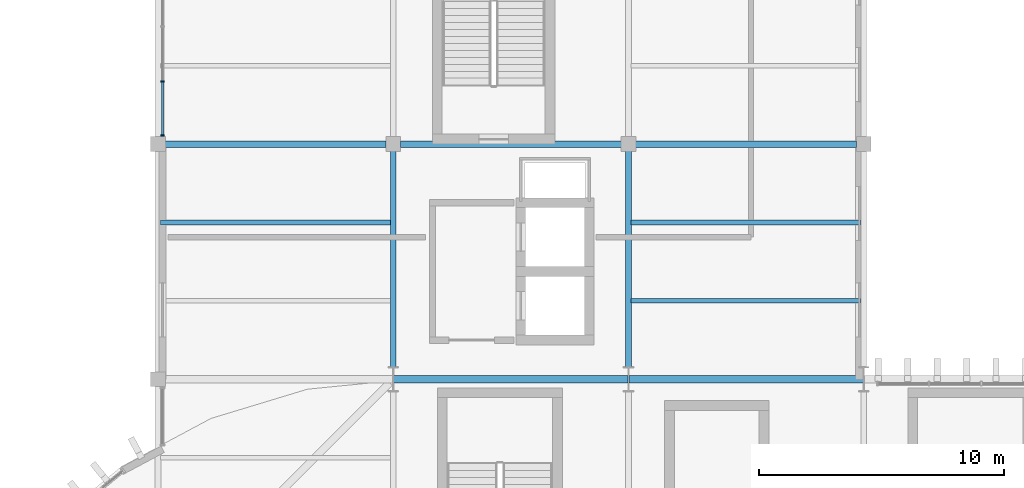
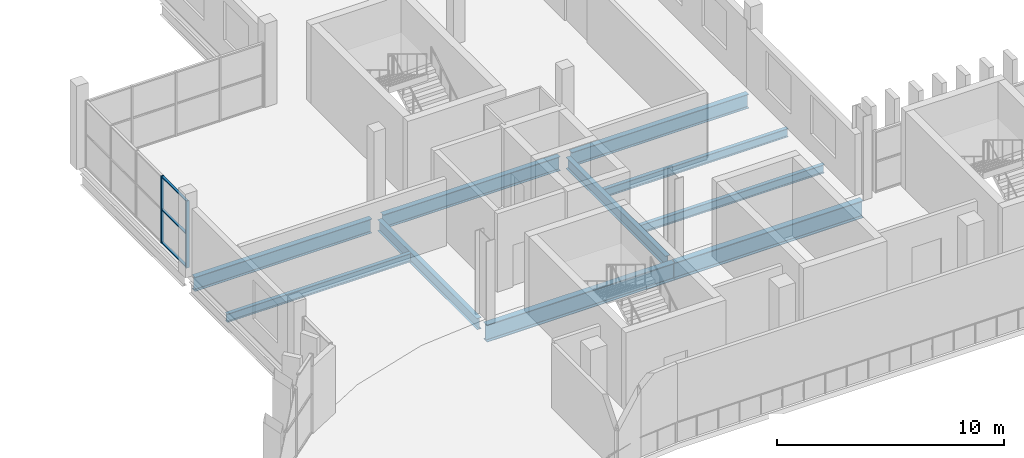
# One storey, part 21 of 92: 10 beams, 5 members, 1 element without a shape of its own.
"""IFC4 building model written with IfcOpenShell, lengths in metres."""

from ifc_helpers import new_model, si_unit, direction, frame, origin, origin_2d, place, context, subcontext, project, spatial, rectangle, i_section, extrude, material, layer, layer_set, material_profile, profile_set, type_object, element, aggregate, save


model = new_model("IFC4")

# Units and contexts
model_context = context("Model", 3, precision=1e-05, world=origin(), true_north=direction((0.0, 1.0)))
body_context = subcontext(model_context, "Body", "Model", "MODEL_VIEW")
ifc_project = project(units=[si_unit("LENGTHUNIT", "METRE"), si_unit("AREAUNIT", "SQUARE_METRE"), si_unit("VOLUMEUNIT", "CUBIC_METRE"), si_unit("PLANEANGLEUNIT", "RADIAN"), si_unit("MASSUNIT", "GRAM", prefix="KILO")], contexts=[model_context])

# Site, building, storey
site_placement = place(None, origin())
site = spatial("IfcSite", under=ifc_project, at=site_placement, CompositionType="ELEMENT")
building_placement = place(site_placement, origin())
building = spatial("IfcBuilding", under=site, at=building_placement, Name="Caelomonte Colonnade Arena", CompositionType="ELEMENT")
storey_placement = place(building_placement, frame((0.0, 0.0, 9.60009765625)))
storey = spatial("IfcBuildingStorey", under=building, at=storey_placement, Name="L02", CompositionType="ELEMENT", Elevation=9.60009765625)

# Curtain wall, members
ifc_material_1 = material(Name="Bronze anodised aluminium and low-E glazing", Category="aluminium")
ifc_layer = layer(ifc_material_1, 0.179931640625)
ifc_layer_set = layer_set([ifc_layer], Name="Bronze anodised aluminium and low-E glazing")
curtain_wall_type = type_object("IfcCurtainWallType", Name="ENV-CW-CW-L02-96-36", PredefinedType="USERDEFINED", material=ifc_layer_set)
curtain_wall_placement = place(storey_placement, origin())
curtain_wall = element("IfcCurtainWall", 1, at=curtain_wall_placement, inside=storey, type_object=curtain_wall_type, Name="L02 unitized curtain wall CW-L02-0674-1296", ObjectType="UNITIZED CURTAIN WALL", PredefinedType="USERDEFINED")
ifc_material_2 = material(Name="Bronze anodised aluminium AA6063-T6", Category="aluminium")
ifc_material_profile_1 = material_profile(ifc_material_2, rectangle(XDim=0.06494140625, YDim=0.14990234375, at=origin_2d()), Name="CWM-65X150")
ifc_profile_set_1 = profile_set([ifc_material_profile_1], Name="Bronze anodised aluminium AA6063-T6")
member_type_1 = type_object("IfcMemberType", Name="ENV-CW-MULL2", PredefinedType="MULLION", material=ifc_profile_set_1)
member_1_placement = place(storey_placement, frame((67.3798828125, 127.360107421875, 0.0), z_axis=(0.0, 0.0, 1.0), x_axis=(0.0, -1.0, 0.0)))
member_1 = element("IfcMember", 2, at=member_1_placement, type_object=member_type_1, Name="CW-L02-96-36 mullion 4", PredefinedType="MULLION", context=body_context, shape_type="SweptSolid", body=[
    extrude(rectangle(XDim=0.06494140625, YDim=0.14990234375, at=origin_2d()), origin(), (0.0, 0.0, 1.0), 3.61279296875),
])
member_2_placement = place(storey_placement, frame((67.3798828125, 125.152587890625, 0.0), z_axis=(0.0, 0.0, 1.0), x_axis=(0.0, -1.0, 0.0)))
member_2 = element("IfcMember", 3, at=member_2_placement, type_object=member_type_1, Name="CW-L02-96-36 mullion 5", PredefinedType="MULLION", context=body_context, shape_type="SweptSolid", body=[
    extrude(rectangle(XDim=0.06494140625, YDim=0.14990234375, at=origin_2d()), origin(), (0.0, 0.0, 1.0), 3.61279296875),
])
ifc_material_profile_2 = material_profile(ifc_material_2, rectangle(XDim=0.06494140625, YDim=0.1201171875, at=origin_2d()), Name="CWT-65X120")
ifc_profile_set_2 = profile_set([ifc_material_profile_2], Name="Bronze anodised aluminium AA6063-T6")
member_type_2 = type_object("IfcMemberType", Name="ENV-CW-TRAN2", PredefinedType="USERDEFINED", material=ifc_profile_set_2)
member_3_placement = place(storey_placement, frame((67.3798828125, 127.327392578125, 0.032470703125), z_axis=(0.0, -1.0, 0.0), x_axis=(0.0, 0.0, 1.0)))
member_3 = element("IfcMember", 4, at=member_3_placement, type_object=member_type_2, Name="CW-L02-96-36 transom 4.1", ObjectType="TRANSOM", PredefinedType="USERDEFINED", context=body_context, shape_type="SweptSolid", body=[
    extrude(rectangle(XDim=0.06494140625, YDim=0.1201171875, at=origin_2d()), origin(), (0.0, 0.0, 1.0), 2.142333984375),
])
member_4_placement = place(storey_placement, frame((67.3798828125, 127.327392578125, 1.806396484375), z_axis=(0.0, -1.0, 0.0), x_axis=(0.0, 0.0, 1.0)))
member_4 = element("IfcMember", 5, at=member_4_placement, type_object=member_type_2, Name="CW-L02-96-36 transom 4.2", ObjectType="TRANSOM", PredefinedType="USERDEFINED", context=body_context, shape_type="SweptSolid", body=[
    extrude(rectangle(XDim=0.06494140625, YDim=0.1201171875, at=origin_2d()), origin(), (0.0, 0.0, 1.0), 2.142333984375),
])
member_5_placement = place(storey_placement, frame((67.3798828125, 127.327392578125, 3.580322265625), z_axis=(0.0, -1.0, 0.0), x_axis=(0.0, 0.0, 1.0)))
member_5 = element("IfcMember", 6, at=member_5_placement, type_object=member_type_2, Name="CW-L02-96-36 transom 4.3", ObjectType="TRANSOM", PredefinedType="USERDEFINED", context=body_context, shape_type="SweptSolid", body=[
    extrude(rectangle(XDim=0.06494140625, YDim=0.1201171875, at=origin_2d()), origin(), (0.0, 0.0, 1.0), 2.142333984375),
])
aggregate(curtain_wall, [member_1, member_2, member_3, member_4, member_5])

# Beams
ifc_material_3 = material(Name="Wide-flange steel ASTM A992 Grade 50", Category="steel")
ifc_material_profile_3 = material_profile(ifc_material_3, i_section(OverallWidth=0.307861328125, OverallDepth=0.927001953125, WebThickness=0.019287109375, FlangeThickness=0.031982421875, FilletRadius=0.020263671875, at=origin_2d()), Name="W36X194")
ifc_profile_set_3 = profile_set([ifc_material_profile_3], Name="Wide-flange steel ASTM A992 Grade 50")
beam_type_1 = type_object("IfcBeamType", Name="STR-BM-EAVES2", PredefinedType="SPANDREL", material=ifc_profile_set_3)
for number, where, z_axis, x_axis, name in (
    (7, (76.811767578125, 115.199951171875, -0.74365234375), (1.0, 0.0, 0.0), (0.0, 1.0, 0.0), "L02 girder BMX-L02-0768-1152"),
    (8, (86.411865234375, 115.199951171875, -0.74365234375), (1.0, 0.0, 0.0), (0.0, 1.0, 0.0), "L02 girder BMX-L02-0864-1152"),
):
    element("IfcBeam", number, at=place(storey_placement, frame(where, z_axis=z_axis, x_axis=x_axis)), inside=storey, type_object=beam_type_1, Name=name, PredefinedType="SPANDREL", context=body_context, shape_type="SweptSolid", body=[
        extrude(i_section(OverallWidth=0.307861328125, OverallDepth=0.927001953125, WebThickness=0.019287109375, FlangeThickness=0.031982421875, FilletRadius=0.020263671875, at=origin_2d()), origin(), (0.0, 0.0, 1.0), 9.576416015625),
    ])
ifc_material_profile_4 = material_profile(ifc_material_3, i_section(OverallWidth=0.228271484375, OverallDepth=0.607177734375, WebThickness=0.01123046875, FlangeThickness=0.017333984375, FilletRadius=0.0126953125, at=origin_2d()), Name="W24X76")
ifc_profile_set_4 = profile_set([ifc_material_profile_4], Name="Wide-flange steel ASTM A992 Grade 50")
beam_type_2 = type_object("IfcBeamType", Name="STR-BM-GIRD24", PredefinedType="BEAM", material=ifc_profile_set_4)
for number, where, z_axis, x_axis, name in (
    (9, (76.800048828125, 115.697509765625, -0.58349609375), (0.0, 1.0, 0.0), (-1.0, 0.0, 0.0), "L02 girder BMY-L02-0768-1152"),
    (10, (86.39990234375, 115.697509765625, -0.58349609375), (0.0, 1.0, 0.0), (-1.0, 0.0, 0.0), "L02 girder BMY-L02-0864-1152"),
):
    element("IfcBeam", number, at=place(storey_placement, frame(where, z_axis=z_axis, x_axis=x_axis)), inside=storey, type_object=beam_type_2, Name=name, PredefinedType="BEAM", context=body_context, shape_type="SweptSolid", body=[
        extrude(i_section(OverallWidth=0.228271484375, OverallDepth=0.607177734375, WebThickness=0.01123046875, FlangeThickness=0.017333984375, FilletRadius=0.0126953125, at=origin_2d()), origin(), (0.0, 0.0, 1.0), 8.810546875),
    ])
ifc_material_profile_5 = material_profile(ifc_material_3, i_section(OverallWidth=0.2666015625, OverallDepth=0.761962890625, WebThickness=0.014404296875, FlangeThickness=0.021484375, FilletRadius=0.0166015625, at=origin_2d()), Name="W30X116")
ifc_profile_set_5 = profile_set([ifc_material_profile_5], Name="Wide-flange steel ASTM A992 Grade 50")
beam_type_3 = type_object("IfcBeamType", Name="STR-BM-GIRD30", PredefinedType="BEAM", material=ifc_profile_set_5)
beam_1_placement = place(storey_placement, frame((67.491943359375, 124.800048828125, -0.6611328125), z_axis=(1.0, 0.0, 0.0), x_axis=(0.0, 1.0, 0.0)))
element("IfcBeam", 11, at=beam_1_placement, inside=storey, type_object=beam_type_3, Name="L02 girder BMX-L02-0672-1248", PredefinedType="BEAM", context=body_context, shape_type="SweptSolid", body=[
    extrude(i_section(OverallWidth=0.2666015625, OverallDepth=0.761962890625, WebThickness=0.014404296875, FlangeThickness=0.021484375, FilletRadius=0.0166015625, at=origin_2d()), origin(), (0.0, 0.0, 1.0), 9.01611328125),
])
beam_2_placement = place(storey_placement, frame((77.092041015625, 124.800048828125, -0.6611328125), z_axis=(1.0, 0.0, 0.0), x_axis=(0.0, 1.0, 0.0)))
element("IfcBeam", 12, at=beam_2_placement, inside=storey, type_object=beam_type_3, Name="L02 girder BMX-L02-0768-1248", PredefinedType="BEAM", context=body_context, shape_type="SweptSolid", body=[
    extrude(i_section(OverallWidth=0.2666015625, OverallDepth=0.761962890625, WebThickness=0.014404296875, FlangeThickness=0.021484375, FilletRadius=0.0166015625, at=origin_2d()), origin(), (0.0, 0.0, 1.0), 9.015869140625),
])
beam_3_placement = place(storey_placement, frame((86.69189453125, 124.800048828125, -0.6611328125), z_axis=(1.0, 0.0, 0.0), x_axis=(0.0, 1.0, 0.0)))
element("IfcBeam", 13, at=beam_3_placement, inside=storey, type_object=beam_type_3, Name="L02 girder BMX-L02-0864-1248", PredefinedType="BEAM", context=body_context, shape_type="SweptSolid", body=[
    extrude(i_section(OverallWidth=0.2666015625, OverallDepth=0.761962890625, WebThickness=0.014404296875, FlangeThickness=0.021484375, FilletRadius=0.0166015625, at=origin_2d()), origin(), (0.0, 0.0, 1.0), 9.01611328125),
])
ifc_material_profile_6 = material_profile(ifc_material_3, i_section(OverallWidth=0.1904296875, OverallDepth=0.457275390625, WebThickness=0.009033203125, FlangeThickness=0.014404296875, FilletRadius=0.01025390625, at=origin_2d()), Name="W18X50")
ifc_profile_set_6 = profile_set([ifc_material_profile_6], Name="Wide-flange steel ASTM A992 Grade 50")
beam_type_4 = type_object("IfcBeamType", Name="STR-BM-JOIST18", PredefinedType="JOIST", material=ifc_profile_set_6)
beam_4_placement = place(storey_placement, frame((67.30908203125, 121.60009765625, -0.5087890625), z_axis=(1.0, 0.0, 0.0), x_axis=(0.0, 1.0, 0.0)))
element("IfcBeam", 14, at=beam_4_placement, inside=storey, type_object=beam_type_4, Name="L02 secondary joist 2", PredefinedType="JOIST", context=body_context, shape_type="SweptSolid", body=[
    extrude(i_section(OverallWidth=0.1904296875, OverallDepth=0.457275390625, WebThickness=0.009033203125, FlangeThickness=0.014404296875, FilletRadius=0.01025390625, at=origin_2d()), origin(), (0.0, 0.0, 1.0), 9.3818359375),
])
for number, where, z_axis, x_axis, name in (
    (15, (86.50927734375, 118.39990234375, -0.5087890625), (1.0, 0.0, 0.0), (0.0, 1.0, 0.0), "L02 secondary joist 1"),
    (16, (86.50927734375, 121.60009765625, -0.5087890625), (1.0, 0.0, 0.0), (0.0, 1.0, 0.0), "L02 secondary joist 2"),
):
    element("IfcBeam", number, at=place(storey_placement, frame(where, z_axis=z_axis, x_axis=x_axis)), inside=storey, type_object=beam_type_4, Name=name, PredefinedType="JOIST", context=body_context, shape_type="SweptSolid", body=[
        extrude(i_section(OverallWidth=0.1904296875, OverallDepth=0.457275390625, WebThickness=0.009033203125, FlangeThickness=0.014404296875, FilletRadius=0.01025390625, at=origin_2d()), origin(), (0.0, 0.0, 1.0), 9.381591796875),
    ])

save(model, "model.ifc")
